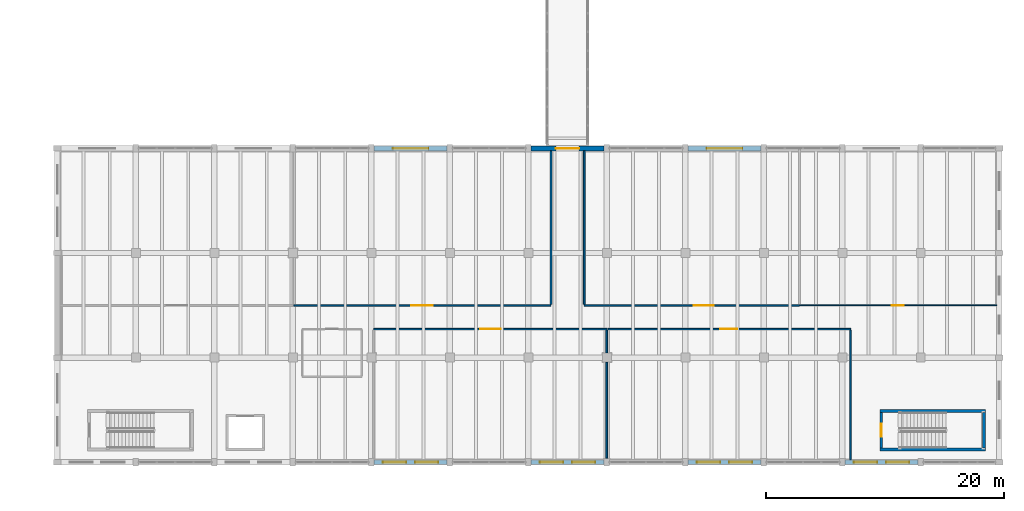
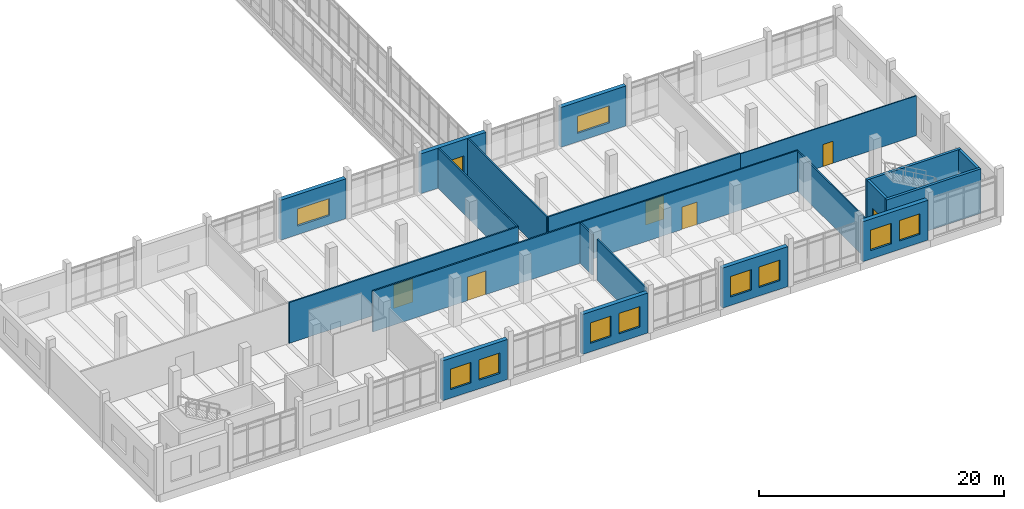
# One storey, part 95 of 125: 21 walls, 10 windows, 7 doors, 17 openings.
"""IFC4 building model written with IfcOpenShell, lengths in metres."""

from ifc_helpers import new_model, si_unit, direction, frame, frame_2d, origin, place, context, subcontext, project, spatial, rectangle, extrude, material, layer, layer_set, type_object, element, fill, save


model = new_model("IFC4")

# Units and contexts
model_context = context("Model", 3, precision=1e-05, world=origin(), true_north=direction((0.0, 1.0)))
body_context = subcontext(model_context, "Body", "Model", "MODEL_VIEW")
ifc_project = project(units=[si_unit("LENGTHUNIT", "METRE"), si_unit("AREAUNIT", "SQUARE_METRE"), si_unit("VOLUMEUNIT", "CUBIC_METRE"), si_unit("PLANEANGLEUNIT", "RADIAN"), si_unit("MASSUNIT", "GRAM", prefix="KILO")], contexts=[model_context])

# Site, building, storey
site_placement = place(None, origin())
site = spatial("IfcSite", under=ifc_project, at=site_placement, CompositionType="ELEMENT")
building_placement = place(site_placement, origin())
building = spatial("IfcBuilding", under=site, at=building_placement, Name="Dornvale Research Institute", CompositionType="ELEMENT")
storey_placement = place(building_placement, frame((0.0, 0.0, 5.39990234375)))
storey = spatial("IfcBuildingStorey", under=building, at=storey_placement, Name="L01", CompositionType="ELEMENT", Elevation=5.39990234375)

# Wall, opening, door
ifc_material_1 = material(Name="Epoxy-Coated Aluminum Honeycomb Cleanroom Partition", Category="aluminium")
ifc_layer_1 = layer(ifc_material_1, 0.139892578125)
ifc_layer_set_1 = layer_set([ifc_layer_1], Name="Epoxy-Coated Aluminum Honeycomb Cleanroom Partition")
wall_type_1 = type_object("IfcWallType", Name="Partition_Cleanroom_140", PredefinedType="PARTITIONING", material=ifc_layer_set_1)
wall_1_placement = place(storey_placement, frame((118.885009765625, 13.199951171875, 0.0), z_axis=(0.0, 0.0, 1.0), x_axis=(1.0, 0.0, 0.0)))
wall_1 = element("IfcWall", 1, at=wall_1_placement, inside=storey, type_object=wall_type_1, Name="L01 V3 interior partition #211", PredefinedType="PARTITIONING", context=body_context, shape_type="SweptSolid", body=[
    extrude(rectangle(XDim=21.614990234375, YDim=0.139892578125, at=frame_2d((10.8076171875, 0.0))), origin(), (0.0, 0.0, 1.0), 4.065185546875),
])
opening_1_placement = place(wall_1_placement, frame((9.85498046875, 0.0, 0.0)))
opening_1 = element("IfcOpeningElement", 2, at=opening_1_placement, cuts=wall_1, Name="Opening ID-02", PredefinedType="OPENING", context=body_context, shape_type="SweptSolid", body=[
    extrude(rectangle(XDim=1.820068359375, YDim=2.35009765625, at=frame_2d((0.91015625, 1.175048828125))), frame((0.0, 0.0849609375, 0.0), z_axis=(0.0, -1.0, 0.0), x_axis=(1.0, 0.0, 0.0)), (0.0, 0.0, 1.0), 0.169921875),
])
ifc_material_2 = material(Name="Insulated Fire-Rated Hollow Metal Door Assembly")
door_type_1 = type_object("IfcDoorType", Name="Door_CleanAirlock_1820x2350", OperationType="SINGLE_SWING_LEFT", PredefinedType="DOOR", material=ifc_material_2)
door_1_placement = place(opening_1_placement, origin())
door_1 = element("IfcDoor", 3, at=door_1_placement, inside=storey, type_object=door_type_1, Name="L01 ISO Class 6 Thin-Film Deposition Cleanroom door #85", OperationType="DOUBLE_DOOR_SINGLE_SWING", OverallHeight=2.35009765625, OverallWidth=1.820068359375, PredefinedType="DOOR", context=body_context, shape_type="SweptSolid", body=[
    extrude(rectangle(XDim=1.820068359375, YDim=2.35009765625, at=frame_2d((0.91015625, 1.175048828125))), frame((0.0, 0.02490234375, 0.0), z_axis=(0.0, -1.0, 0.0), x_axis=(1.0, 0.0, 0.0)), (0.0, 0.0, 1.0), 0.050048828125),
])
fill(opening_1, door_1)

# Wall
wall_2_placement = place(storey_placement, frame((140.5, 13.284912109375, 0.0), z_axis=(0.0, 0.0, 1.0), x_axis=(0.0, 1.0, 0.0)))
element("IfcWall", 4, at=wall_2_placement, inside=storey, type_object=wall_type_1, Name="L01 V3 interior partition #212", PredefinedType="PARTITIONING", context=body_context, shape_type="SweptSolid", body=[
    extrude(rectangle(XDim=12.900146484375, YDim=0.139892578125, at=frame_2d((6.4501953125, 0.0))), origin(), (0.0, 0.0, 1.0), 3.97998046875),
])

# Wall, opening, door
wall_3_placement = place(storey_placement, frame((143.300048828125, 13.199951171875, 0.0), z_axis=(0.0, 0.0, 1.0), x_axis=(1.0, 0.0, 0.0)))
wall_3 = element("IfcWall", 5, at=wall_3_placement, inside=storey, type_object=wall_type_1, Name="L01 V3 interior partition #213", PredefinedType="PARTITIONING", context=body_context, shape_type="SweptSolid", body=[
    extrude(rectangle(XDim=18.099853515625, YDim=0.139892578125, at=frame_2d((9.0498046875, 0.0))), origin(), (0.0, 0.0, 1.0), 4.065185546875),
])
opening_2_placement = place(wall_3_placement, frame((9.18994140625, 0.0, 0.0)))
opening_2 = element("IfcOpeningElement", 6, at=opening_2_placement, cuts=wall_3, Name="Opening ID-03", PredefinedType="OPENING", context=body_context, shape_type="SweptSolid", body=[
    extrude(rectangle(XDim=1.719970703125, YDim=2.35009765625, at=frame_2d((0.85986328125, 1.175048828125))), frame((0.0, 0.0849609375, 0.0), z_axis=(0.0, -1.0, 0.0), x_axis=(1.0, 0.0, 0.0)), (0.0, 0.0, 1.0), 0.169921875),
])
ifc_material_3 = material(Name="Insulated Fire-Rated Hollow Metal Door Assembly")
door_type_2 = type_object("IfcDoorType", Name="Door_CleanBay_1720x2350", OperationType="SINGLE_SWING_LEFT", PredefinedType="DOOR", material=ifc_material_3)
door_2_placement = place(opening_2_placement, origin())
door_2 = element("IfcDoor", 7, at=door_2_placement, inside=storey, type_object=door_type_2, Name="L01 Dry Etch and Plasma Processing Bay door #86", OperationType="DOUBLE_DOOR_SINGLE_SWING", OverallHeight=2.35009765625, OverallWidth=1.719970703125, PredefinedType="DOOR", context=body_context, shape_type="SweptSolid", body=[
    extrude(rectangle(XDim=1.719970703125, YDim=2.35009765625, at=frame_2d((0.85986328125, 1.175048828125))), frame((0.0, 0.02490234375, 0.0), z_axis=(0.0, -1.0, 0.0), x_axis=(1.0, 0.0, 0.0)), (0.0, 0.0, 1.0), 0.050048828125),
])
fill(opening_2, door_2)

# Wall
wall_4_placement = place(storey_placement, frame((143.300048828125, 13.284912109375, 0.0), z_axis=(0.0, 0.0, 1.0), x_axis=(0.0, 1.0, 0.0)))
element("IfcWall", 8, at=wall_4_placement, inside=storey, type_object=wall_type_1, Name="L01 V3 interior partition #214", PredefinedType="PARTITIONING", context=body_context, shape_type="SweptSolid", body=[
    extrude(rectangle(XDim=12.900146484375, YDim=0.139892578125, at=frame_2d((6.4501953125, 0.0))), origin(), (0.0, 0.0, 1.0), 3.97998046875),
])

# Wall, opening, door
wall_5_placement = place(storey_placement, frame((125.60009765625, 11.199951171875, 0.0), z_axis=(0.0, 0.0, 1.0), x_axis=(1.0, 0.0, 0.0)))
wall_5 = element("IfcWall", 9, at=wall_5_placement, inside=storey, type_object=wall_type_1, Name="L01 V3 interior partition #217", PredefinedType="PARTITIONING", context=body_context, shape_type="SweptSolid", body=[
    extrude(rectangle(XDim=19.599853515625, YDim=0.139892578125, at=frame_2d((9.7998046875, 0.0))), origin(), (0.0, 0.0, 1.0), 4.065185546875),
])
opening_3_placement = place(wall_5_placement, frame((8.93994140625, 0.0, 0.0)))
opening_3 = element("IfcOpeningElement", 10, at=opening_3_placement, cuts=wall_5, Name="Opening ID-03", PredefinedType="OPENING", context=body_context, shape_type="SweptSolid", body=[
    extrude(rectangle(XDim=1.719970703125, YDim=2.35009765625, at=frame_2d((0.85986328125, 1.175048828125))), frame((0.0, 0.0849609375, 0.0), z_axis=(0.0, -1.0, 0.0), x_axis=(1.0, 0.0, 0.0)), (0.0, 0.0, 1.0), 0.169921875),
])
door_3_placement = place(opening_3_placement, origin())
door_3 = element("IfcDoor", 11, at=door_3_placement, inside=storey, type_object=door_type_2, Name="L01 Cleanroom Return-Air Service Chase L01 door #88", OperationType="DOUBLE_DOOR_SINGLE_SWING", OverallHeight=2.35009765625, OverallWidth=1.719970703125, PredefinedType="DOOR", context=body_context, shape_type="SweptSolid", body=[
    extrude(rectangle(XDim=1.719970703125, YDim=2.35009765625, at=frame_2d((0.85986328125, 1.175048828125))), frame((0.0, 0.02490234375, 0.0), z_axis=(0.0, -1.0, 0.0), x_axis=(1.0, 0.0, 0.0)), (0.0, 0.0, 1.0), 0.050048828125),
])
fill(opening_3, door_3)

# Walls
wall_6_placement = place(storey_placement, frame((145.199951171875, 0.344970703125, 0.0), z_axis=(0.0, 0.0, 1.0), x_axis=(0.0, 1.0, 0.0)))
element("IfcWall", 12, at=wall_6_placement, inside=storey, type_object=wall_type_1, Name="L01 V3 interior partition #220", PredefinedType="PARTITIONING", context=body_context, shape_type="SweptSolid", body=[
    extrude(rectangle(XDim=8.06005859375, YDim=0.139892578125, at=frame_2d((4.030029296875, 0.0))), origin(), (0.0, 0.0, 1.0), 4.065185546875),
])
wall_7_placement = place(storey_placement, frame((145.199951171875, 9.195068359375, 0.0), z_axis=(0.0, 0.0, 1.0), x_axis=(0.0, 1.0, 0.0)))
element("IfcWall", 13, at=wall_7_placement, inside=storey, type_object=wall_type_1, Name="L01 V3 interior partition #221", PredefinedType="PARTITIONING", context=body_context, shape_type="SweptSolid", body=[
    extrude(rectangle(XDim=1.919921875, YDim=0.139892578125, at=frame_2d((0.9599609375, 0.0))), origin(), (0.0, 0.0, 1.0), 4.065185546875),
])

# Wall, opening, door
ifc_material_4 = material(Name="Acoustic Insulated Double-Stud Laboratory Partition")
ifc_layer_2 = layer(ifc_material_4, 0.1201171875)
ifc_layer_set_2 = layer_set([ifc_layer_2], Name="Acoustic Insulated Double-Stud Laboratory Partition")
wall_type_2 = type_object("IfcWallType", Name="Partition_Dry_120", PredefinedType="PARTITIONING", material=ifc_layer_set_2)
wall_8_placement = place(storey_placement, frame((145.284912109375, 11.199951171875, 0.0), z_axis=(0.0, 0.0, 1.0), x_axis=(1.0, 0.0, 0.0)))
wall_8 = element("IfcWall", 14, at=wall_8_placement, inside=storey, type_object=wall_type_2, Name="L01 V3 interior partition #222", PredefinedType="PARTITIONING", context=body_context, shape_type="SweptSolid", body=[
    extrude(rectangle(XDim=20.4150390625, YDim=0.1201171875, at=frame_2d((10.20751953125, 0.0))), origin(), (0.0, 0.0, 1.0), 4.065185546875),
])
opening_4_placement = place(wall_8_placement, frame((9.445068359375, 0.0, 0.0)))
opening_4 = element("IfcOpeningElement", 15, at=opening_4_placement, cuts=wall_8, Name="Opening ID-07", PredefinedType="OPENING", context=body_context, shape_type="SweptSolid", body=[
    extrude(rectangle(XDim=1.43994140625, YDim=2.25, at=frame_2d((0.719970703125, 1.125))), frame((0.0, 0.074951171875, 0.0), z_axis=(0.0, -1.0, 0.0), x_axis=(1.0, 0.0, 0.0)), (0.0, 0.0, 1.0), 0.150146484375),
])
ifc_material_5 = material(Name="Insulated Fire-Rated Hollow Metal Door Assembly")
door_type_3 = type_object("IfcDoorType", Name="Door_DryLab_1440x2250", OperationType="SINGLE_SWING_LEFT", PredefinedType="DOOR", material=ifc_material_5)
door_4_placement = place(opening_4_placement, origin())
door_4 = element("IfcDoor", 16, at=door_4_placement, inside=storey, type_object=door_type_3, Name="L01 Nanometrology Calibration Suite L01 door #89", OperationType="SINGLE_SWING_RIGHT", OverallHeight=2.25, OverallWidth=1.43994140625, PredefinedType="DOOR", context=body_context, shape_type="SweptSolid", body=[
    extrude(rectangle(XDim=1.43994140625, YDim=2.25, at=frame_2d((0.719970703125, 1.125))), frame((0.0, 0.02490234375, 0.0), z_axis=(0.0, -1.0, 0.0), x_axis=(1.0, 0.0, 0.0)), (0.0, 0.0, 1.0), 0.050048828125),
])
fill(opening_4, door_4)

# Wall
wall_9_placement = place(storey_placement, frame((165.699951171875, 0.215087890625, 0.0), z_axis=(0.0, 0.0, 1.0), x_axis=(0.0, 1.0, 0.0)))
element("IfcWall", 17, at=wall_9_placement, inside=storey, type_object=wall_type_2, Name="L01 V3 interior partition #223", PredefinedType="PARTITIONING", context=body_context, shape_type="SweptSolid", body=[
    extrude(rectangle(XDim=10.909912109375, YDim=0.1201171875, at=frame_2d((5.455078125, 0.0))), origin(), (0.0, 0.0, 1.0), 3.97998046875),
])

# Wall, opening, door
ifc_material_6 = material(Name="Acoustic Insulated Double-Stud Laboratory Partition")
ifc_layer_3 = layer(ifc_material_6, 0.10009765625)
ifc_layer_set_3 = layer_set([ifc_layer_3], Name="Acoustic Insulated Double-Stud Laboratory Partition")
wall_type_3 = type_object("IfcWallType", Name="Partition_Office_100", PredefinedType="PARTITIONING", material=ifc_layer_set_3)
wall_10_placement = place(storey_placement, frame((161.4150390625, 13.199951171875, 0.0), z_axis=(0.0, 0.0, 1.0), x_axis=(1.0, 0.0, 0.0)))
wall_10 = element("IfcWall", 18, at=wall_10_placement, inside=storey, type_object=wall_type_3, Name="L01 V3 interior partition #216", PredefinedType="PARTITIONING", context=body_context, shape_type="SweptSolid", body=[
    extrude(rectangle(XDim=16.570068359375, YDim=0.10009765625, at=frame_2d((8.28515625, 0.0))), origin(), (0.0, 0.0, 1.0), 3.97998046875),
])
opening_5_placement = place(wall_10_placement, frame((7.7548828125, 0.0, 0.0)))
opening_5 = element("IfcOpeningElement", 19, at=opening_5_placement, cuts=wall_10, Name="Opening ID-21", PredefinedType="OPENING", context=body_context, shape_type="SweptSolid", body=[
    extrude(rectangle(XDim=0.97998046875, YDim=2.199951171875, at=frame_2d((0.489990234375, 1.10009765625))), frame((0.0, 0.06494140625, 0.0), z_axis=(0.0, -1.0, 0.0), x_axis=(1.0, 0.0, 0.0)), (0.0, 0.0, 1.0), 0.130126953125),
])
ifc_material_7 = material(Name="Phenolic-Faced Solid-Core Laboratory Door Assembly")
door_type_4 = type_object("IfcDoorType", Name="Door_Office_980x2200", OperationType="SINGLE_SWING_LEFT", PredefinedType="DOOR", material=ifc_material_7)
door_5_placement = place(opening_5_placement, origin())
door_5 = element("IfcDoor", 20, at=door_5_placement, inside=storey, type_object=door_type_4, Name="L01 Cleanroom Process Engineering Office L01 door #87", OperationType="SINGLE_SWING_RIGHT", OverallHeight=2.199951171875, OverallWidth=0.97998046875, PredefinedType="DOOR", context=body_context, shape_type="SweptSolid", body=[
    extrude(rectangle(XDim=0.97998046875, YDim=2.199951171875, at=frame_2d((0.489990234375, 1.10009765625))), frame((0.0, 0.02490234375, 0.0), z_axis=(0.0, -1.0, 0.0), x_axis=(1.0, 0.0, 0.0)), (0.0, 0.0, 1.0), 0.050048828125),
])
fill(opening_5, door_5)

# Walls
ifc_material_8 = material(Name="Concrete f'c 45 MPa (C35/45)", Category="concrete")
ifc_layer_4 = layer(ifc_material_8, 0.25)
ifc_layer_set_4 = layer_set([ifc_layer_4], Name="Concrete f'c 45 MPa (C35/45)")
wall_type_4 = type_object("IfcWallType", Name="ShearWall_Core_250", PredefinedType="SHEAR", material=ifc_layer_set_4)
for number, where, z_axis, x_axis, name in (
    (21, (168.14990234375, 1.074951171875, 0.0), (0.0, 0.0, 1.0), (1.0, 0.0, 0.0), "L01 ST-6 shaft shear wall south"),
    (22, (168.14990234375, 4.324951171875, 0.0), (0.0, 0.0, 1.0), (1.0, 0.0, 0.0), "L01 ST-6 shaft shear wall north"),
):
    element("IfcWall", number, at=place(storey_placement, frame(where, z_axis=z_axis, x_axis=x_axis)), inside=storey, type_object=wall_type_4, Name=name, PredefinedType="SHEAR", context=body_context, shape_type="SweptSolid", body=[
        extrude(rectangle(XDim=8.900146484375, YDim=0.25, at=frame_2d((4.4501953125, 0.0))), origin(), (0.0, 0.0, 1.0), 4.440185546875),
    ])

# Wall, opening, door
wall_11_placement = place(storey_placement, frame((168.27490234375, 1.199951171875, 0.0), z_axis=(0.0, 0.0, 1.0), x_axis=(0.0, 1.0, 0.0)))
wall_11 = element("IfcWall", 23, at=wall_11_placement, inside=storey, type_object=wall_type_4, Name="L01 ST-6 shaft shear wall west", PredefinedType="SHEAR", context=body_context, shape_type="SweptSolid", body=[
    extrude(rectangle(XDim=3.0, YDim=0.25, at=frame_2d((1.5, 0.0))), origin(), (0.0, 0.0, 1.0), 4.440185546875),
])
opening_6_placement = place(wall_11_placement, frame((0.9599609375, 0.0, 0.0)))
opening_6 = element("IfcOpeningElement", 24, at=opening_6_placement, cuts=wall_11, Name="Opening SD-02", PredefinedType="OPENING", context=body_context, shape_type="SweptSolid", body=[
    extrude(rectangle(XDim=1.080078125, YDim=2.199951171875, at=frame_2d((0.5400390625, 1.10009765625))), frame((0.0, 0.139892578125, 0.0), z_axis=(0.0, -1.0, 0.0), x_axis=(1.0, 0.0, 0.0)), (0.0, 0.0, 1.0), 0.280029296875),
])
ifc_material_9 = material(Name="Insulated Fire-Rated Hollow Metal Door Assembly")
door_type_5 = type_object("IfcDoorType", Name="Door_Stair_1080x2200", OperationType="SINGLE_SWING_LEFT", PredefinedType="DOOR", material=ifc_material_9)
door_6_placement = place(opening_6_placement, origin())
door_6 = element("IfcDoor", 25, at=door_6_placement, inside=storey, type_object=door_type_5, Name="L01 ST-6 exit stair door #48", OperationType="SINGLE_SWING_RIGHT", OverallHeight=2.199951171875, OverallWidth=1.080078125, PredefinedType="DOOR", context=body_context, shape_type="SweptSolid", body=[
    extrude(rectangle(XDim=1.080078125, YDim=2.199951171875, at=frame_2d((0.5400390625, 1.10009765625))), frame((0.0, 0.02490234375, 0.0), z_axis=(0.0, -1.0, 0.0), x_axis=(1.0, 0.0, 0.0)), (0.0, 0.0, 1.0), 0.050048828125),
])
fill(opening_6, door_6)

# Wall
wall_12_placement = place(storey_placement, frame((176.925048828125, 1.199951171875, 0.0), z_axis=(0.0, 0.0, 1.0), x_axis=(0.0, 1.0, 0.0)))
element("IfcWall", 26, at=wall_12_placement, inside=storey, type_object=wall_type_4, Name="L01 ST-6 shaft shear wall east", PredefinedType="SHEAR", context=body_context, shape_type="SweptSolid", body=[
    extrude(rectangle(XDim=3.0, YDim=0.25, at=frame_2d((1.5, 0.0))), origin(), (0.0, 0.0, 1.0), 4.440185546875),
])

# Wall, opening, window
ifc_material_10 = material(Name="Precast Concrete f'c 40 MPa (C32/40) and Glazed Terracotta Backup Wall", Category="masonry")
ifc_layer_5 = layer(ifc_material_10, 0.39990234375)
ifc_layer_set_5 = layer_set([ifc_layer_5], Name="Precast Concrete f'c 40 MPa (C32/40) and Glazed Terracotta Backup Wall")
wall_type_5 = type_object("IfcWallType", Name="StandardWall_CleanroomExt_400", PredefinedType="STANDARD", material=ifc_layer_set_5)
wall_13_placement = place(storey_placement, frame((125.625, 26.39990234375, 0.0), z_axis=(0.0, 0.0, 1.0), x_axis=(1.0, 0.0, 0.0)))
wall_13 = element("IfcWall", 27, at=wall_13_placement, inside=storey, type_object=wall_type_5, Name="L01 V3 north exterior wall #135", PredefinedType="STANDARD", context=body_context, shape_type="SweptSolid", body=[
    extrude(rectangle(XDim=6.14990234375, YDim=0.39990234375, at=frame_2d((3.074951171875, 0.0))), origin(), (0.0, 0.0, 1.0), 3.97998046875),
])
opening_7_placement = place(wall_13_placement, frame((1.574951171875, 0.0, 0.85009765625)))
opening_7 = element("IfcOpeningElement", 28, at=opening_7_placement, cuts=wall_13, Name="Opening W-24", PredefinedType="OPENING", context=body_context, shape_type="SweptSolid", body=[
    extrude(rectangle(XDim=3.0, YDim=1.699951171875, at=frame_2d((1.5, 0.85009765625))), frame((0.0, 0.21484375, 0.0), z_axis=(0.0, -1.0, 0.0), x_axis=(1.0, 0.0, 0.0)), (0.0, 0.0, 1.0), 0.429931640625),
])
ifc_material_11 = material(Name="Low-E Argon Double Insulating Glazing Unit", Category="glass")
window_type_1 = type_object("IfcWindowType", Name="Window_Alu_3000x1700_24", PartitioningType="DOUBLE_PANEL_VERTICAL", PredefinedType="WINDOW", material=ifc_material_11)
window_1_placement = place(opening_7_placement, origin())
window_1 = element("IfcWindow", 29, at=window_1_placement, inside=storey, type_object=window_type_1, Name="L01 V3 facade window W-24 #169", OverallHeight=1.699951171875, OverallWidth=3.0, PartitioningType="DOUBLE_PANEL_VERTICAL", PredefinedType="WINDOW", context=body_context, shape_type="SweptSolid", body=[
    extrude(rectangle(XDim=3.0, YDim=1.699951171875, at=frame_2d((1.5, 0.85009765625))), frame((0.0, 0.030029296875, 0.0), z_axis=(0.0, -1.0, 0.0), x_axis=(1.0, 0.0, 0.0)), (0.0, 0.0, 1.0), 0.06005859375),
])
fill(opening_7, window_1)

# Wall, opening, door
wall_14_placement = place(storey_placement, frame((138.824951171875, 26.39990234375, 0.0), z_axis=(0.0, 0.0, 1.0), x_axis=(1.0, 0.0, 0.0)))
wall_14 = element("IfcWall", 30, at=wall_14_placement, inside=storey, type_object=wall_type_5, Name="L01 V3 north exterior wall #136", PredefinedType="STANDARD", context=body_context, shape_type="SweptSolid", body=[
    extrude(rectangle(XDim=6.150146484375, YDim=0.39990234375, at=frame_2d((3.0751953125, 0.0))), origin(), (0.0, 0.0, 1.0), 3.97998046875),
])
opening_8_placement = place(wall_14_placement, frame((2.10009765625, 0.0, 0.0)))
opening_8 = element("IfcOpeningElement", 31, at=opening_8_placement, cuts=wall_14, Name="Opening BD-01", PredefinedType="OPENING", context=body_context, shape_type="SweptSolid", body=[
    extrude(rectangle(XDim=1.949951171875, YDim=2.35009765625, at=frame_2d((0.97509765625, 1.175048828125))), frame((0.0, 0.21484375, 0.0), z_axis=(0.0, -1.0, 0.0), x_axis=(1.0, 0.0, 0.0)), (0.0, 0.0, 1.0), 0.429931640625),
])
ifc_material_12 = material(Name="Galvanized Hollow Metal Insulated Door Assembly")
door_type_6 = type_object("IfcDoorType", Name="Door_BridgeJoint_1950x2350", OperationType="SINGLE_SWING_LEFT", PredefinedType="DOOR", material=ifc_material_12)
door_7_placement = place(opening_8_placement, origin())
door_7 = element("IfcDoor", 32, at=door_7_placement, inside=storey, type_object=door_type_6, Name="L01 V3 skybridge door BD-01 #19", OperationType="DOUBLE_DOOR_SINGLE_SWING", OverallHeight=2.35009765625, OverallWidth=1.949951171875, PredefinedType="DOOR", context=body_context, shape_type="SweptSolid", body=[
    extrude(rectangle(XDim=1.949951171875, YDim=2.35009765625, at=frame_2d((0.97509765625, 1.175048828125))), frame((0.0, 0.02490234375, 0.0), z_axis=(0.0, -1.0, 0.0), x_axis=(1.0, 0.0, 0.0)), (0.0, 0.0, 1.0), 0.050048828125),
])
fill(opening_8, door_7)

# Wall, opening, window
wall_15_placement = place(storey_placement, frame((152.02490234375, 26.39990234375, 0.0), z_axis=(0.0, 0.0, 1.0), x_axis=(1.0, 0.0, 0.0)))
wall_15 = element("IfcWall", 33, at=wall_15_placement, inside=storey, type_object=wall_type_5, Name="L01 V3 north exterior wall #137", PredefinedType="STANDARD", context=body_context, shape_type="SweptSolid", body=[
    extrude(rectangle(XDim=6.150146484375, YDim=0.39990234375, at=frame_2d((3.0751953125, 0.0))), origin(), (0.0, 0.0, 1.0), 3.97998046875),
])
opening_9_placement = place(wall_15_placement, frame((1.574951171875, 0.0, 0.85009765625)))
opening_9 = element("IfcOpeningElement", 34, at=opening_9_placement, cuts=wall_15, Name="Opening W-24", PredefinedType="OPENING", context=body_context, shape_type="SweptSolid", body=[
    extrude(rectangle(XDim=3.0, YDim=1.699951171875, at=frame_2d((1.5, 0.85009765625))), frame((0.0, 0.21484375, 0.0), z_axis=(0.0, -1.0, 0.0), x_axis=(1.0, 0.0, 0.0)), (0.0, 0.0, 1.0), 0.429931640625),
])
window_2_placement = place(opening_9_placement, origin())
window_2 = element("IfcWindow", 35, at=window_2_placement, inside=storey, type_object=window_type_1, Name="L01 V3 facade window W-24 #170", OverallHeight=1.699951171875, OverallWidth=3.0, PartitioningType="DOUBLE_PANEL_VERTICAL", PredefinedType="WINDOW", context=body_context, shape_type="SweptSolid", body=[
    extrude(rectangle(XDim=3.0, YDim=1.699951171875, at=frame_2d((1.5, 0.85009765625))), frame((0.0, 0.030029296875, 0.0), z_axis=(0.0, -1.0, 0.0), x_axis=(1.0, 0.0, 0.0)), (0.0, 0.0, 1.0), 0.06005859375),
])
fill(opening_9, window_2)

# Wall, openings, windows
wall_16_placement = place(storey_placement, frame((171.375, 0.0, 0.0), z_axis=(0.0, 0.0, 1.0), x_axis=(-1.0, 0.0, 0.0)))
wall_16 = element("IfcWall", 36, at=wall_16_placement, inside=storey, type_object=wall_type_5, Name="L01 V3 south exterior wall #142", PredefinedType="STANDARD", context=body_context, shape_type="SweptSolid", body=[
    extrude(rectangle(XDim=6.14990234375, YDim=0.39990234375, at=frame_2d((3.074951171875, 0.0))), origin(), (0.0, 0.0, 1.0), 3.97998046875),
])
opening_10_placement = place(wall_16_placement, frame((0.75, 0.0, 0.85009765625)))
opening_10 = element("IfcOpeningElement", 37, at=opening_10_placement, cuts=wall_16, Name="Opening W-30", PredefinedType="OPENING", context=body_context, shape_type="SweptSolid", body=[
    extrude(rectangle(XDim=1.949951171875, YDim=2.0400390625, at=frame_2d((0.97509765625, 1.02001953125))), frame((0.0, 0.21484375, 0.0), z_axis=(0.0, -1.0, 0.0), x_axis=(1.0, 0.0, 0.0)), (0.0, 0.0, 1.0), 0.429931640625),
])
opening_11_placement = place(wall_16_placement, frame((3.449951171875, 0.0, 0.85009765625)))
opening_11 = element("IfcOpeningElement", 38, at=opening_11_placement, cuts=wall_16, Name="Opening W-30", PredefinedType="OPENING", context=body_context, shape_type="SweptSolid", body=[
    extrude(rectangle(XDim=1.949951171875, YDim=2.0400390625, at=frame_2d((0.97509765625, 1.02001953125))), frame((0.0, 0.21484375, 0.0), z_axis=(0.0, -1.0, 0.0), x_axis=(1.0, 0.0, 0.0)), (0.0, 0.0, 1.0), 0.429931640625),
])
ifc_material_13 = material(Name="Low-E Argon Double Insulating Glazing Unit", Category="glass")
window_type_2 = type_object("IfcWindowType", Name="Window_Alu_1950x2040_30", PartitioningType="DOUBLE_PANEL_VERTICAL", PredefinedType="WINDOW", material=ifc_material_13)
window_3_placement = place(opening_10_placement, origin())
window_3 = element("IfcWindow", 39, at=window_3_placement, inside=storey, type_object=window_type_2, Name="L01 V3 facade window W-30 #178", OverallHeight=2.0400390625, OverallWidth=1.949951171875, PartitioningType="DOUBLE_PANEL_VERTICAL", PredefinedType="WINDOW", context=body_context, shape_type="SweptSolid", body=[
    extrude(rectangle(XDim=1.949951171875, YDim=2.0400390625, at=frame_2d((0.97509765625, 1.02001953125))), frame((0.0, 0.030029296875, 0.0), z_axis=(0.0, -1.0, 0.0), x_axis=(1.0, 0.0, 0.0)), (0.0, 0.0, 1.0), 0.06005859375),
])
fill(opening_10, window_3)
window_4_placement = place(opening_11_placement, origin())
window_4 = element("IfcWindow", 40, at=window_4_placement, inside=storey, type_object=window_type_2, Name="L01 V3 facade window W-30 #179", OverallHeight=2.0400390625, OverallWidth=1.949951171875, PartitioningType="DOUBLE_PANEL_VERTICAL", PredefinedType="WINDOW", context=body_context, shape_type="SweptSolid", body=[
    extrude(rectangle(XDim=1.949951171875, YDim=2.0400390625, at=frame_2d((0.97509765625, 1.02001953125))), frame((0.0, 0.030029296875, 0.0), z_axis=(0.0, -1.0, 0.0), x_axis=(1.0, 0.0, 0.0)), (0.0, 0.0, 1.0), 0.06005859375),
])
fill(opening_11, window_4)

wall_17_placement = place(storey_placement, frame((158.175048828125, 0.0, 0.0), z_axis=(0.0, 0.0, 1.0), x_axis=(-1.0, 0.0, 0.0)))
wall_17 = element("IfcWall", 41, at=wall_17_placement, inside=storey, type_object=wall_type_5, Name="L01 V3 south exterior wall #143", PredefinedType="STANDARD", context=body_context, shape_type="SweptSolid", body=[
    extrude(rectangle(XDim=6.150146484375, YDim=0.39990234375, at=frame_2d((3.0751953125, 0.0))), origin(), (0.0, 0.0, 1.0), 3.97998046875),
])
opening_12_placement = place(wall_17_placement, frame((0.75, 0.0, 0.85009765625)))
opening_12 = element("IfcOpeningElement", 42, at=opening_12_placement, cuts=wall_17, Name="Opening W-30", PredefinedType="OPENING", context=body_context, shape_type="SweptSolid", body=[
    extrude(rectangle(XDim=1.949951171875, YDim=2.0400390625, at=frame_2d((0.97509765625, 1.02001953125))), frame((0.0, 0.21484375, 0.0), z_axis=(0.0, -1.0, 0.0), x_axis=(1.0, 0.0, 0.0)), (0.0, 0.0, 1.0), 0.429931640625),
])
opening_13_placement = place(wall_17_placement, frame((3.449951171875, 0.0, 0.85009765625)))
opening_13 = element("IfcOpeningElement", 43, at=opening_13_placement, cuts=wall_17, Name="Opening W-30", PredefinedType="OPENING", context=body_context, shape_type="SweptSolid", body=[
    extrude(rectangle(XDim=1.949951171875, YDim=2.0400390625, at=frame_2d((0.97509765625, 1.02001953125))), frame((0.0, 0.21484375, 0.0), z_axis=(0.0, -1.0, 0.0), x_axis=(1.0, 0.0, 0.0)), (0.0, 0.0, 1.0), 0.429931640625),
])
window_5_placement = place(opening_12_placement, origin())
window_5 = element("IfcWindow", 44, at=window_5_placement, inside=storey, type_object=window_type_2, Name="L01 V3 facade window W-30 #180", OverallHeight=2.0400390625, OverallWidth=1.949951171875, PartitioningType="DOUBLE_PANEL_VERTICAL", PredefinedType="WINDOW", context=body_context, shape_type="SweptSolid", body=[
    extrude(rectangle(XDim=1.949951171875, YDim=2.0400390625, at=frame_2d((0.97509765625, 1.02001953125))), frame((0.0, 0.030029296875, 0.0), z_axis=(0.0, -1.0, 0.0), x_axis=(1.0, 0.0, 0.0)), (0.0, 0.0, 1.0), 0.06005859375),
])
fill(opening_12, window_5)
window_6_placement = place(opening_13_placement, origin())
window_6 = element("IfcWindow", 45, at=window_6_placement, inside=storey, type_object=window_type_2, Name="L01 V3 facade window W-30 #181", OverallHeight=2.0400390625, OverallWidth=1.949951171875, PartitioningType="DOUBLE_PANEL_VERTICAL", PredefinedType="WINDOW", context=body_context, shape_type="SweptSolid", body=[
    extrude(rectangle(XDim=1.949951171875, YDim=2.0400390625, at=frame_2d((0.97509765625, 1.02001953125))), frame((0.0, 0.030029296875, 0.0), z_axis=(0.0, -1.0, 0.0), x_axis=(1.0, 0.0, 0.0)), (0.0, 0.0, 1.0), 0.06005859375),
])
fill(opening_13, window_6)

wall_18_placement = place(storey_placement, frame((144.97509765625, 0.0, 0.0), z_axis=(0.0, 0.0, 1.0), x_axis=(-1.0, 0.0, 0.0)))
wall_18 = element("IfcWall", 46, at=wall_18_placement, inside=storey, type_object=wall_type_5, Name="L01 V3 south exterior wall #144", PredefinedType="STANDARD", context=body_context, shape_type="SweptSolid", body=[
    extrude(rectangle(XDim=6.150146484375, YDim=0.39990234375, at=frame_2d((3.0751953125, 0.0))), origin(), (0.0, 0.0, 1.0), 3.97998046875),
])
opening_14_placement = place(wall_18_placement, frame((0.75, 0.0, 0.85009765625)))
opening_14 = element("IfcOpeningElement", 47, at=opening_14_placement, cuts=wall_18, Name="Opening W-30", PredefinedType="OPENING", context=body_context, shape_type="SweptSolid", body=[
    extrude(rectangle(XDim=1.949951171875, YDim=2.0400390625, at=frame_2d((0.97509765625, 1.02001953125))), frame((0.0, 0.21484375, 0.0), z_axis=(0.0, -1.0, 0.0), x_axis=(1.0, 0.0, 0.0)), (0.0, 0.0, 1.0), 0.429931640625),
])
opening_15_placement = place(wall_18_placement, frame((3.449951171875, 0.0, 0.85009765625)))
opening_15 = element("IfcOpeningElement", 48, at=opening_15_placement, cuts=wall_18, Name="Opening W-30", PredefinedType="OPENING", context=body_context, shape_type="SweptSolid", body=[
    extrude(rectangle(XDim=1.949951171875, YDim=2.0400390625, at=frame_2d((0.97509765625, 1.02001953125))), frame((0.0, 0.21484375, 0.0), z_axis=(0.0, -1.0, 0.0), x_axis=(1.0, 0.0, 0.0)), (0.0, 0.0, 1.0), 0.429931640625),
])
window_7_placement = place(opening_14_placement, origin())
window_7 = element("IfcWindow", 49, at=window_7_placement, inside=storey, type_object=window_type_2, Name="L01 V3 facade window W-30 #182", OverallHeight=2.0400390625, OverallWidth=1.949951171875, PartitioningType="DOUBLE_PANEL_VERTICAL", PredefinedType="WINDOW", context=body_context, shape_type="SweptSolid", body=[
    extrude(rectangle(XDim=1.949951171875, YDim=2.0400390625, at=frame_2d((0.97509765625, 1.02001953125))), frame((0.0, 0.030029296875, 0.0), z_axis=(0.0, -1.0, 0.0), x_axis=(1.0, 0.0, 0.0)), (0.0, 0.0, 1.0), 0.06005859375),
])
fill(opening_14, window_7)
window_8_placement = place(opening_15_placement, origin())
window_8 = element("IfcWindow", 50, at=window_8_placement, inside=storey, type_object=window_type_2, Name="L01 V3 facade window W-30 #183", OverallHeight=2.0400390625, OverallWidth=1.949951171875, PartitioningType="DOUBLE_PANEL_VERTICAL", PredefinedType="WINDOW", context=body_context, shape_type="SweptSolid", body=[
    extrude(rectangle(XDim=1.949951171875, YDim=2.0400390625, at=frame_2d((0.97509765625, 1.02001953125))), frame((0.0, 0.030029296875, 0.0), z_axis=(0.0, -1.0, 0.0), x_axis=(1.0, 0.0, 0.0)), (0.0, 0.0, 1.0), 0.06005859375),
])
fill(opening_15, window_8)

wall_19_placement = place(storey_placement, frame((131.77490234375, 0.0, 0.0), z_axis=(0.0, 0.0, 1.0), x_axis=(-1.0, 0.0, 0.0)))
wall_19 = element("IfcWall", 51, at=wall_19_placement, inside=storey, type_object=wall_type_5, Name="L01 V3 south exterior wall #145", PredefinedType="STANDARD", context=body_context, shape_type="SweptSolid", body=[
    extrude(rectangle(XDim=6.14990234375, YDim=0.39990234375, at=frame_2d((3.074951171875, 0.0))), origin(), (0.0, 0.0, 1.0), 3.97998046875),
])
opening_16_placement = place(wall_19_placement, frame((0.75, 0.0, 0.85009765625)))
opening_16 = element("IfcOpeningElement", 52, at=opening_16_placement, cuts=wall_19, Name="Opening W-30", PredefinedType="OPENING", context=body_context, shape_type="SweptSolid", body=[
    extrude(rectangle(XDim=1.949951171875, YDim=2.0400390625, at=frame_2d((0.97509765625, 1.02001953125))), frame((0.0, 0.21484375, 0.0), z_axis=(0.0, -1.0, 0.0), x_axis=(1.0, 0.0, 0.0)), (0.0, 0.0, 1.0), 0.429931640625),
])
opening_17_placement = place(wall_19_placement, frame((3.449951171875, 0.0, 0.85009765625)))
opening_17 = element("IfcOpeningElement", 53, at=opening_17_placement, cuts=wall_19, Name="Opening W-30", PredefinedType="OPENING", context=body_context, shape_type="SweptSolid", body=[
    extrude(rectangle(XDim=1.949951171875, YDim=2.0400390625, at=frame_2d((0.97509765625, 1.02001953125))), frame((0.0, 0.21484375, 0.0), z_axis=(0.0, -1.0, 0.0), x_axis=(1.0, 0.0, 0.0)), (0.0, 0.0, 1.0), 0.429931640625),
])
window_9_placement = place(opening_16_placement, origin())
window_9 = element("IfcWindow", 54, at=window_9_placement, inside=storey, type_object=window_type_2, Name="L01 V3 facade window W-30 #184", OverallHeight=2.0400390625, OverallWidth=1.949951171875, PartitioningType="DOUBLE_PANEL_VERTICAL", PredefinedType="WINDOW", context=body_context, shape_type="SweptSolid", body=[
    extrude(rectangle(XDim=1.949951171875, YDim=2.0400390625, at=frame_2d((0.97509765625, 1.02001953125))), frame((0.0, 0.030029296875, 0.0), z_axis=(0.0, -1.0, 0.0), x_axis=(1.0, 0.0, 0.0)), (0.0, 0.0, 1.0), 0.06005859375),
])
fill(opening_16, window_9)
window_10_placement = place(opening_17_placement, origin())
window_10 = element("IfcWindow", 55, at=window_10_placement, inside=storey, type_object=window_type_2, Name="L01 V3 facade window W-30 #185", OverallHeight=2.0400390625, OverallWidth=1.949951171875, PartitioningType="DOUBLE_PANEL_VERTICAL", PredefinedType="WINDOW", context=body_context, shape_type="SweptSolid", body=[
    extrude(rectangle(XDim=1.949951171875, YDim=2.0400390625, at=frame_2d((0.97509765625, 1.02001953125))), frame((0.0, 0.030029296875, 0.0), z_axis=(0.0, -1.0, 0.0), x_axis=(1.0, 0.0, 0.0)), (0.0, 0.0, 1.0), 0.06005859375),
])
fill(opening_17, window_10)

save(model, "model.ifc")
